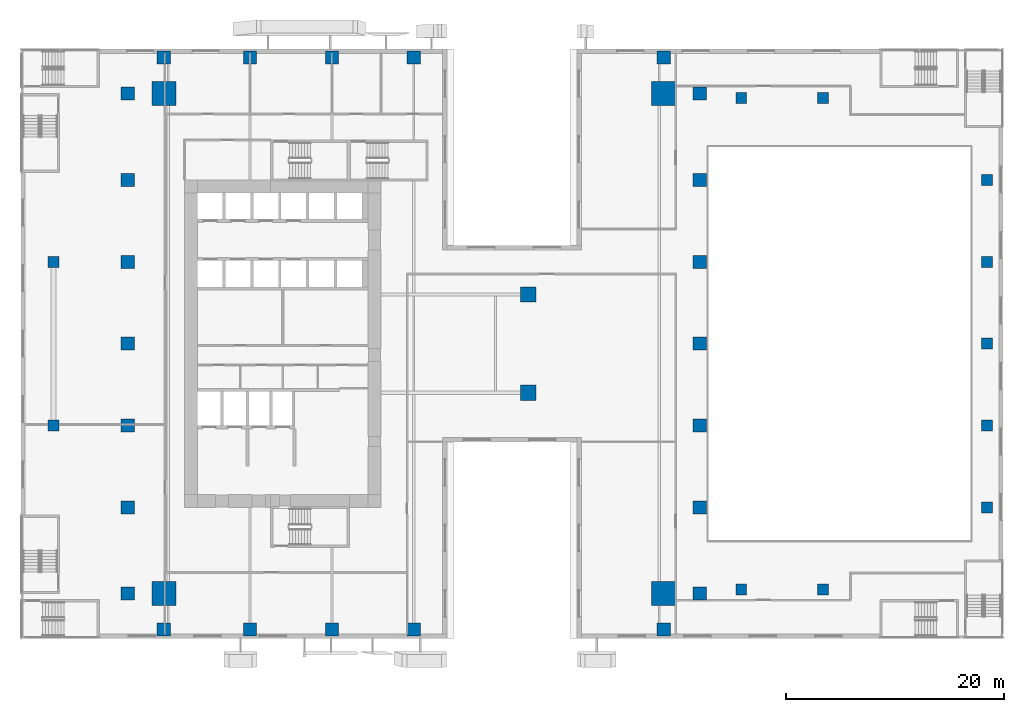
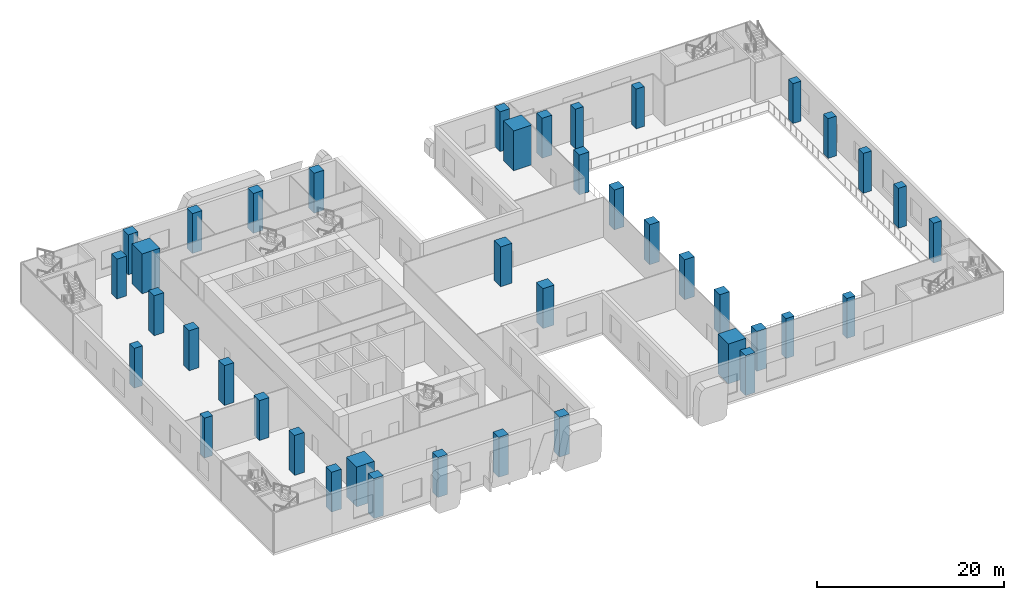
# One storey, part 1 of 23: 41 columns.
"""IFC4 building model written with IfcOpenShell, lengths in metres."""

import ifcopenshell
import ifcopenshell.guid

model = None  # the IFC model being written
_history = None  # IfcOwnerHistory: only IFC2X3 demands one
_inside = {}  # id of a spatial element -> (the spatial element, [elements in it])
_under = {}  # id of a project, library or spatial element -> (it, [spatial elements below it])
_declared = {}  # id of a project -> (the project, [libraries it declares])
_typed = {}  # id of a type object -> (the type object, [elements of that type])
_made_of = {}  # id of a material, layer set ... -> (it, [elements and type objects made of it])


def new_model(schema):
    """Start an empty IFC model of exactly this schema.

    Asked for "IFC4X3", IfcOpenShell would pick the latest addendum, in which some entities
    have other attributes; the version numbers below select the first issue.
    IFC2X3 requires an IfcOwnerHistory on every rooted entity: one is made here for all.
    """
    global model, _history
    if schema == "IFC4X3":
        model = ifcopenshell.file(schema_version=(4, 3, 0, 0))
    else:
        model = ifcopenshell.file(schema=schema)
    _inside.clear()
    _under.clear()
    _declared.clear()
    _typed.clear()
    _made_of.clear()
    _history = None
    if model.schema == "IFC2X3":
        org = make("IfcOrganization", Name="unknown")
        user = make(
            "IfcPersonAndOrganization",
            ThePerson=make("IfcPerson", FamilyName="unknown"),
            TheOrganization=org,
        )
        app = make(
            "IfcApplication",
            ApplicationDeveloper=org,
            Version="unknown",
            ApplicationFullName="unknown",
            ApplicationIdentifier="unknown",
        )
        _history = make(
            "IfcOwnerHistory",
            OwningUser=user,
            OwningApplication=app,
            ChangeAction="ADDED",
            CreationDate=0,
        )
    return model


def make(cls, **values):
    """One entity of the class cls with the attributes given. An attribute that is None is left unset."""
    return model.create_entity(
        cls, **{name: value for name, value in values.items() if value is not None}
    )


def rooted(cls, **values):
    """An entity with a GlobalId (a new one), such as an element, a storey or a relation."""
    return make(cls, GlobalId=ifcopenshell.guid.new(), OwnerHistory=_history, **values)


def si_unit(unit_type, name, prefix=None):
    """IfcSIUnit, for example si_unit("LENGTHUNIT", "METRE", prefix="MILLI")."""
    return make("IfcSIUnit", UnitType=unit_type, Prefix=prefix, Name=name)


def assignment(units):
    """IfcUnitAssignment: the units of a project."""
    return None if units is None else make("IfcUnitAssignment", Units=units)


def point(xyz):
    """IfcCartesianPoint."""
    return None if xyz is None else make("IfcCartesianPoint", Coordinates=xyz)


def direction(xyz):
    """IfcDirection."""
    return None if xyz is None else make("IfcDirection", DirectionRatios=xyz)


def frame(location, z_axis=None, x_axis=None):
    """IfcAxis2Placement3D, a coordinate frame: its origin and axes. An axis left out is left unset."""
    return make(
        "IfcAxis2Placement3D",
        Location=point(location),
        Axis=direction(z_axis),
        RefDirection=direction(x_axis),
    )


def frame_2d(location, x_axis=None):
    """IfcAxis2Placement2D, a coordinate frame in the plane: its origin and x axis."""
    return make(
        "IfcAxis2Placement2D", Location=point(location), RefDirection=direction(x_axis)
    )


def origin():
    """The frame at (0, 0, 0) with its axes left unset."""
    return frame((0.0, 0.0, 0.0))


def origin_2d():
    """The frame at (0, 0) in the plane with its x axis left unset."""
    return frame_2d((0.0, 0.0))


def place(relative_to, where):
    """IfcLocalPlacement: puts the frame where relative to a parent placement (None: the world)."""
    return make(
        "IfcLocalPlacement", PlacementRelTo=relative_to, RelativePlacement=where
    )


def context(
    kind, dimensions, precision=None, world=None, true_north=None, identifier=None
):
    """IfcGeometricRepresentationContext, for example the 3D "Model" context."""
    return make(
        "IfcGeometricRepresentationContext",
        ContextIdentifier=identifier,
        ContextType=kind,
        CoordinateSpaceDimension=dimensions,
        Precision=precision,
        WorldCoordinateSystem=world,
        TrueNorth=true_north,
    )


def subcontext(parent, identifier, kind, view, scale=None):
    """IfcGeometricRepresentationSubContext, for example "Body" below "Model"."""
    return make(
        "IfcGeometricRepresentationSubContext",
        ContextIdentifier=identifier,
        ContextType=kind,
        ParentContext=parent,
        TargetScale=scale,
        TargetView=view,
    )


def project(units=None, contexts=None):
    """IfcProject with its units and contexts."""
    return rooted(
        "IfcProject",
        Name="project",
        RepresentationContexts=contexts,
        UnitsInContext=assignment(units),
    )


def spatial(cls, under=None, at=None, **own):
    """A site, building, storey or space (cls), placed at a placement, below another one or the project."""
    s = rooted(cls, ObjectPlacement=at, **own)
    if under is not None:
        _under.setdefault(under.id(), (under, []))[1].append(s)
    return s


def profile(cls, at=None, kind="AREA", **sizes):
    """A parametric profile (cls). Its sizes go by their IFC names, for example OverallWidth=200.0."""
    return make(cls, ProfileType=kind, Position=at, **sizes)


def rectangle(**sizes):
    """IfcRectangleProfileDef."""
    return profile("IfcRectangleProfileDef", **sizes)


def extrude(swept, where, along, depth):
    """IfcExtrudedAreaSolid: the profile swept, set in the frame where, extruded along a direction by depth."""
    return make(
        "IfcExtrudedAreaSolid",
        SweptArea=swept,
        Position=where,
        ExtrudedDirection=direction(along),
        Depth=depth,
    )


def shape(context_of_items, identifier, shape_type, items):
    """IfcShapeRepresentation: the items that make up one representation, for example the "Body"."""
    return make(
        "IfcShapeRepresentation",
        ContextOfItems=context_of_items,
        RepresentationIdentifier=identifier,
        RepresentationType=shape_type,
        Items=items,
    )


def source(mapping_origin, context_of_items, identifier, shape_type, items):
    """IfcRepresentationMap: a shape defined once, which mapped items show again and again."""
    return make(
        "IfcRepresentationMap",
        MappingOrigin=mapping_origin,
        MappedRepresentation=shape(context_of_items, identifier, shape_type, items),
    )


def transform(
    local_origin,
    x_axis=None,
    y_axis=None,
    z_axis=None,
    scale=None,
    scale2=None,
    scale3=None,
    uniform=True,
):
    """IfcCartesianTransformationOperator3D, or its non-uniform kind. x_axis, y_axis, z_axis: its Axis1, 2, 3."""
    if uniform:
        return make(
            "IfcCartesianTransformationOperator3D",
            Axis1=direction(x_axis),
            Axis2=direction(y_axis),
            LocalOrigin=point(local_origin),
            Scale=scale,
            Axis3=direction(z_axis),
        )
    return make(
        "IfcCartesianTransformationOperator3DnonUniform",
        Axis1=direction(x_axis),
        Axis2=direction(y_axis),
        LocalOrigin=point(local_origin),
        Scale=scale,
        Axis3=direction(z_axis),
        Scale2=scale2,
        Scale3=scale3,
    )


def mapped(mapping_source, mapping_target):
    """IfcMappedItem: shows the shape of a source again, moved by a transform."""
    return make(
        "IfcMappedItem", MappingSource=mapping_source, MappingTarget=mapping_target
    )


def material(Name=None, Category=None):
    """IfcMaterial."""
    return make("IfcMaterial", Name=Name, Category=Category)


def material_profile(
    of_material, cross_section, Name=None, Category=None, Priority=None
):
    """IfcMaterialProfile: a cross section and its material."""
    return make(
        "IfcMaterialProfile",
        Name=Name,
        Material=of_material,
        Profile=cross_section,
        Priority=Priority,
        Category=Category,
    )


def profile_set(profiles, Name=None, composite=None):
    """IfcMaterialProfileSet."""
    return make(
        "IfcMaterialProfileSet",
        Name=Name,
        MaterialProfiles=profiles,
        CompositeProfile=composite,
    )


def made_of(thing, what):
    """Note that an element or type object is made of a material, layer set ...; save() writes the relation."""
    if what is not None:
        _made_of.setdefault(what.id(), (what, []))[1].append(thing)
    return thing


def type_object(cls, material=None, **own):
    """A type object (cls), such as IfcWallType, which elements share."""
    return made_of(rooted(cls, **own), material)


def element(
    cls,
    number,
    at=None,
    inside=None,
    cuts=None,
    type_object=None,
    material=None,
    context=None,
    identifier="Body",
    shape_type=None,
    held_by="IfcProductDefinitionShape",
    body=None,
    shapes=None,
    **own,
):
    """One element of the class cls, such as IfcWall. Its Tag is "e" and its number.

    at: its placement. inside: the storey or other place that contains it. cuts: it is an
    opening in that element (IfcRelVoidsElement). A single representation is given by context,
    identifier, shape_type and body (its items); several are given by shapes. held_by: the class
    of the entity that holds the representations. save() writes the other relations.
    """
    e = rooted(cls, Tag="e%d" % number, ObjectPlacement=at, **own)
    if body is not None:
        shapes = [shape(context, identifier, shape_type, body)]
    if shapes is not None:
        e.Representation = make(held_by, Representations=shapes)
    if inside is not None:
        _inside.setdefault(inside.id(), (inside, []))[1].append(e)
    if cuts is not None:
        rooted(
            "IfcRelVoidsElement", RelatingBuildingElement=cuts, RelatedOpeningElement=e
        )
    if type_object is not None:
        _typed.setdefault(type_object.id(), (type_object, []))[1].append(e)
    return made_of(e, material)


def aggregate(whole, parts):
    """IfcRelAggregates: a whole, such as a stair, and the parts it consists of."""
    return rooted("IfcRelAggregates", RelatingObject=whole, RelatedObjects=parts)


def save(model, path):
    """Write the relations noted so far, then the file.

    IfcRelAggregates (storeys below a building ...), IfcRelContainedInSpatialStructure (elements
    in a storey), IfcRelDefinesByType, IfcRelAssociatesMaterial and IfcRelDeclares: one each for
    every whole, place, type object, material and project.
    """
    for whole, parts in _under.values():
        aggregate(whole, parts)
    for where, things in _inside.values():
        rooted(
            "IfcRelContainedInSpatialStructure",
            RelatedElements=things,
            RelatingStructure=where,
        )
    for kind, things in _typed.values():
        rooted("IfcRelDefinesByType", RelatedObjects=things, RelatingType=kind)
    for what, things in _made_of.values():
        rooted("IfcRelAssociatesMaterial", RelatedObjects=things, RelatingMaterial=what)
    for by, libraries in _declared.values():
        rooted("IfcRelDeclares", RelatingContext=by, RelatedDefinitions=libraries)
    model.write(path)


model = new_model("IFC4")

# Units and contexts
model_context = context("Model", 3, precision=1e-05, world=origin(), true_north=direction((0.0, 1.0)))
body_context = subcontext(model_context, "Body", "Model", "MODEL_VIEW")
ifc_project = project(units=[si_unit("LENGTHUNIT", "METRE"), si_unit("AREAUNIT", "SQUARE_METRE"), si_unit("VOLUMEUNIT", "CUBIC_METRE"), si_unit("PLANEANGLEUNIT", "RADIAN"), si_unit("MASSUNIT", "GRAM", prefix="KILO")], contexts=[model_context])

# Site, building, storey
site_placement = place(None, origin())
site = spatial("IfcSite", under=ifc_project, at=site_placement, CompositionType="ELEMENT")
building_placement = place(site_placement, origin())
building = spatial("IfcBuilding", under=site, at=building_placement, Name="Khomas Fold Tower", CompositionType="ELEMENT")
storey_placement = place(building_placement, frame((0.0, 0.0, 13.0)))
storey = spatial("IfcBuildingStorey", under=building, at=storey_placement, Name="L02", CompositionType="ELEMENT", Elevation=13.0)

# Columns
ifc_material_1 = material(Name="Concrete C70/85", Category="concrete")
ifc_material_profile_1 = material_profile(ifc_material_1, rectangle(XDim=2.199951171875, YDim=2.199951171875, at=origin_2d()), Name="RC 2200x2200")
ifc_profile_set_1 = profile_set([ifc_material_profile_1], Name="Concrete C70/85")
column_type_1 = type_object("IfcColumnType", Name="RC 2200x2200 column", PredefinedType="COLUMN", material=ifc_profile_set_1)
shared_shape_1 = source(origin(), body_context, "Body", "SweptSolid", [
    extrude(rectangle(XDim=2.199951171875, YDim=2.199951171875, at=origin_2d()), origin(), (0.0, 0.0, 1.0), 5.199951171875),
])
for number, where, z_axis, x_axis, name in (
    (1, (49.89990234375, 49.89990234375, 0.0), (0.0, 0.0, 1.0), (1.0, 0.0, 0.0), "CM-NE"),
    (2, (4.10009765625, 49.89990234375, 0.0), (0.0, 0.0, 1.0), (1.0, 0.0, 0.0), "CM-NW"),
    (3, (49.89990234375, 4.10009765625, 0.0), (0.0, 0.0, 1.0), (1.0, 0.0, 0.0), "CM-SE"),
    (4, (4.10009765625, 4.10009765625, 0.0), (0.0, 0.0, 1.0), (1.0, 0.0, 0.0), "CM-SW"),
):
    element("IfcColumn", number, at=place(storey_placement, frame(where, z_axis=z_axis, x_axis=x_axis)), inside=storey, type_object=column_type_1, Name=name, PredefinedType="COLUMN", context=body_context, shape_type="MappedRepresentation", body=[
        mapped(shared_shape_1, transform((0.0, 0.0, 0.0))),
    ])
ifc_material_2 = material(Name="Concrete C60/75", Category="concrete")
ifc_material_profile_2 = material_profile(ifc_material_2, rectangle(XDim=1.199951171875, YDim=1.199951171875, at=origin_2d()), Name="RC 1200x1200")
ifc_profile_set_2 = profile_set([ifc_material_profile_2], Name="Concrete C60/75")
column_type_2 = type_object("IfcColumnType", Name="RC 1200x1200 column", PredefinedType="COLUMN", material=ifc_profile_set_2)
shared_shape_2 = source(origin(), body_context, "Body", "SweptSolid", [
    extrude(rectangle(XDim=1.199951171875, YDim=1.199951171875, at=origin_2d()), origin(), (0.0, 0.0, 1.0), 5.199951171875),
])
for number, where, z_axis, x_axis, name in (
    (5, (4.10009765625, 0.800048828125, 0.0), (0.0, 0.0, 1.0), (1.0, 0.0, 0.0), "C-2-SF1"),
    (6, (12.0, 0.800048828125, 0.0), (0.0, 0.0, 1.0), (1.0, 0.0, 0.0), "C-6-SF1"),
    (7, (19.5, 0.800048828125, 0.0), (0.0, 0.0, 1.0), (1.0, 0.0, 0.0), "C-8-SF1"),
    (8, (27.0, 0.800048828125, 0.0), (0.0, 0.0, 1.0), (1.0, 0.0, 0.0), "C-9-SF1"),
    (9, (49.89990234375, 0.800048828125, 0.0), (0.0, 0.0, 1.0), (1.0, 0.0, 0.0), "C-17-SF1"),
    (10, (53.199951171875, 4.10009765625, 0.0), (0.0, 0.0, 1.0), (1.0, 0.0, 0.0), "C-E1-A"),
    (11, (53.199951171875, 12.0, 0.0), (0.0, 0.0, 1.0), (1.0, 0.0, 0.0), "C-E1-F"),
    (12, (53.199951171875, 19.5, 0.0), (0.0, 0.0, 1.0), (1.0, 0.0, 0.0), "C-E1-J"),
    (13, (53.199951171875, 27.0, 0.0), (0.0, 0.0, 1.0), (1.0, 0.0, 0.0), "C-E1-L"),
    (14, (53.199951171875, 34.5, 0.0), (0.0, 0.0, 1.0), (1.0, 0.0, 0.0), "C-E1-N"),
    (15, (53.199951171875, 42.0, 0.0), (0.0, 0.0, 1.0), (1.0, 0.0, 0.0), "C-E1-R"),
    (16, (53.199951171875, 49.89990234375, 0.0), (0.0, 0.0, 1.0), (1.0, 0.0, 0.0), "C-E1-W"),
    (17, (4.10009765625, 53.199951171875, 0.0), (0.0, 0.0, 1.0), (1.0, 0.0, 0.0), "C-2-NF1"),
    (18, (12.0, 53.199951171875, 0.0), (0.0, 0.0, 1.0), (1.0, 0.0, 0.0), "C-6-NF1"),
    (19, (19.5, 53.199951171875, 0.0), (0.0, 0.0, 1.0), (1.0, 0.0, 0.0), "C-8-NF1"),
    (20, (27.0, 53.199951171875, 0.0), (0.0, 0.0, 1.0), (1.0, 0.0, 0.0), "C-9-NF1"),
    (21, (49.89990234375, 53.199951171875, 0.0), (0.0, 0.0, 1.0), (1.0, 0.0, 0.0), "C-17-NF1"),
    (22, (0.800048828125, 4.10009765625, 0.0), (0.0, 0.0, 1.0), (1.0, 0.0, 0.0), "C-W1-A"),
    (23, (0.800048828125, 12.0, 0.0), (0.0, 0.0, 1.0), (1.0, 0.0, 0.0), "C-W1-F"),
    (24, (0.800048828125, 19.5, 0.0), (0.0, 0.0, 1.0), (1.0, 0.0, 0.0), "C-W1-J"),
    (25, (0.800048828125, 27.0, 0.0), (0.0, 0.0, 1.0), (1.0, 0.0, 0.0), "C-W1-L"),
    (26, (0.800048828125, 34.5, 0.0), (0.0, 0.0, 1.0), (1.0, 0.0, 0.0), "C-W1-N"),
    (27, (0.800048828125, 42.0, 0.0), (0.0, 0.0, 1.0), (1.0, 0.0, 0.0), "C-W1-R"),
    (28, (0.800048828125, 49.89990234375, 0.0), (0.0, 0.0, 1.0), (1.0, 0.0, 0.0), "C-W1-W"),
):
    element("IfcColumn", number, at=place(storey_placement, frame(where, z_axis=z_axis, x_axis=x_axis)), inside=storey, type_object=column_type_2, Name=name, PredefinedType="COLUMN", context=body_context, shape_type="MappedRepresentation", body=[
        mapped(shared_shape_2, transform((0.0, 0.0, 0.0))),
    ])
ifc_material_3 = material(Name="Concrete C60/75", Category="concrete")
ifc_material_profile_3 = material_profile(ifc_material_3, rectangle(XDim=1.39990234375, YDim=1.39990234375, at=origin_2d()), Name="RC 1400x1400")
ifc_profile_set_3 = profile_set([ifc_material_profile_3], Name="Concrete C60/75")
column_type_3 = type_object("IfcColumnType", Name="RC 1400x1400 column", PredefinedType="COLUMN", material=ifc_profile_set_3)
shared_shape_3 = source(origin(), body_context, "Body", "SweptSolid", [
    extrude(rectangle(XDim=1.39990234375, YDim=1.39990234375, at=origin_2d()), origin(), (0.0, 0.0, 1.0), 5.199951171875),
])
for number, where, z_axis, x_axis, name in (
    (29, (37.5, 22.5, 0.0), (0.0, 0.0, 1.0), (1.0, 0.0, 0.0), "C-11-K"),
    (30, (37.5, 31.5, 0.0), (0.0, 0.0, 1.0), (1.0, 0.0, 0.0), "C-11-M"),
):
    element("IfcColumn", number, at=place(storey_placement, frame(where, z_axis=z_axis, x_axis=x_axis)), inside=storey, type_object=column_type_3, Name=name, PredefinedType="COLUMN", context=body_context, shape_type="MappedRepresentation", body=[
        mapped(shared_shape_3, transform((0.0, 0.0, 0.0))),
    ])
ifc_material_4 = material(Name="Concrete C50/60", Category="concrete")
ifc_material_profile_4 = material_profile(ifc_material_4, rectangle(XDim=1.0, YDim=1.0, at=origin_2d()), Name="RC 1000x1000")
ifc_profile_set_4 = profile_set([ifc_material_profile_4], Name="Concrete C50/60")
column_type_4 = type_object("IfcColumnType", Name="RC 1000x1000 column", PredefinedType="COLUMN", material=ifc_profile_set_4)
shared_shape_4 = source(origin(), body_context, "Body", "SweptSolid", [
    extrude(rectangle(XDim=1.0, YDim=1.0, at=origin_2d()), origin(), (0.0, 0.0, 1.0), 5.199951171875),
])
for number, where, z_axis, x_axis, name in (
    (31, (-6.0, 19.5, 0.0), (0.0, 0.0, 1.0), (1.0, 0.0, 0.0), "C-1-J"),
    (32, (-6.0, 34.5, 0.0), (0.0, 0.0, 1.0), (1.0, 0.0, 0.0), "C-1-N"),
    (33, (57.0, 4.5, 0.0), (0.0, 0.0, 1.0), (1.0, 0.0, 0.0), "C-18-B"),
    (34, (57.0, 49.5, 0.0), (0.0, 0.0, 1.0), (1.0, 0.0, 0.0), "C-18-V"),
    (35, (64.5, 4.5, 0.0), (0.0, 0.0, 1.0), (1.0, 0.0, 0.0), "C-19-B"),
    (36, (64.5, 49.5, 0.0), (0.0, 0.0, 1.0), (1.0, 0.0, 0.0), "C-19-V"),
    (37, (79.5, 12.0, 0.0), (0.0, 0.0, 1.0), (1.0, 0.0, 0.0), "C-20-F"),
    (38, (79.5, 19.5, 0.0), (0.0, 0.0, 1.0), (1.0, 0.0, 0.0), "C-20-J"),
    (39, (79.5, 27.0, 0.0), (0.0, 0.0, 1.0), (1.0, 0.0, 0.0), "C-20-L"),
    (40, (79.5, 34.5, 0.0), (0.0, 0.0, 1.0), (1.0, 0.0, 0.0), "C-20-N"),
    (41, (79.5, 42.0, 0.0), (0.0, 0.0, 1.0), (1.0, 0.0, 0.0), "C-20-R"),
):
    element("IfcColumn", number, at=place(storey_placement, frame(where, z_axis=z_axis, x_axis=x_axis)), inside=storey, type_object=column_type_4, Name=name, PredefinedType="COLUMN", context=body_context, shape_type="MappedRepresentation", body=[
        mapped(shared_shape_4, transform((0.0, 0.0, 0.0))),
    ])

save(model, "model.ifc")
